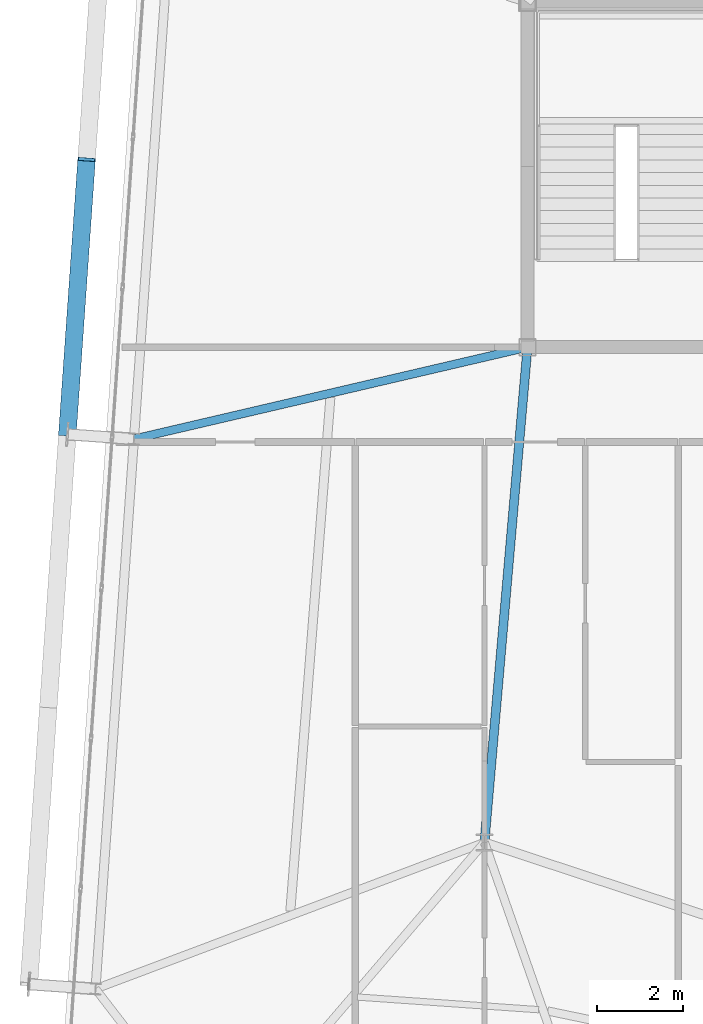
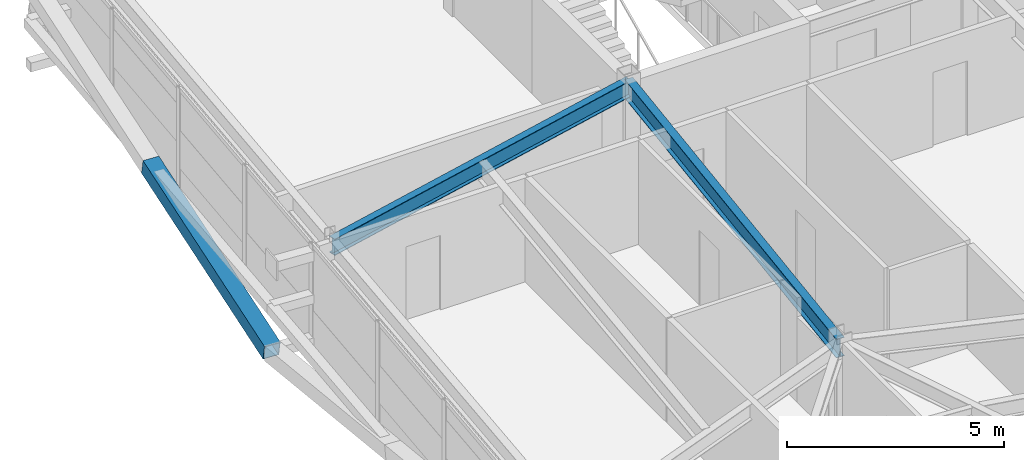
# One storey, part 15 of 47: 2 beams, 1 member.
"""IFC4 building model written with IfcOpenShell, lengths in metres."""

from ifc_helpers import new_model, si_unit, direction, frame, origin, origin_2d, place, context, subcontext, project, spatial, hollow_rectangle, i_section, extrude, source, transform, mapped, material, material_profile, profile_set, type_object, element, save


model = new_model("IFC4")

# Units and contexts
model_context = context("Model", 3, precision=1e-05, world=origin(), true_north=direction((0.0, 1.0)))
body_context = subcontext(model_context, "Body", "Model", "MODEL_VIEW")
ifc_project = project(units=[si_unit("LENGTHUNIT", "METRE"), si_unit("AREAUNIT", "SQUARE_METRE"), si_unit("VOLUMEUNIT", "CUBIC_METRE"), si_unit("PLANEANGLEUNIT", "RADIAN"), si_unit("MASSUNIT", "GRAM", prefix="KILO")], contexts=[model_context])

# Site, building, storey
site_placement = place(None, origin())
site = spatial("IfcSite", under=ifc_project, at=site_placement, CompositionType="ELEMENT")
building_placement = place(site_placement, origin())
building = spatial("IfcBuilding", under=site, at=building_placement, Name="Taldren Reach Tower", CompositionType="ELEMENT")
storey_placement = place(building_placement, frame((0.0, 0.0, 142.449951171875)))
storey = spatial("IfcBuildingStorey", under=building, at=storey_placement, Name="L43", CompositionType="ELEMENT", Elevation=142.449951171875)

# Beams
ifc_material_1 = material(Name="Steel Gr 350 (350PLUS)", Category="steel")
ifc_material_profile_1 = material_profile(ifc_material_1, i_section(OverallWidth=0.208984375, OverallDepth=0.532958984375, WebThickness=0.01025390625, FlangeThickness=0.015625, at=origin_2d()), Name="530UB92.4")
ifc_profile_set_1 = profile_set([ifc_material_profile_1], Name="Steel Gr 350 (350PLUS)")
beam_type_1 = type_object("IfcBeamType", Name="BM-UB530A", PredefinedType="BEAM", material=ifc_profile_set_1)
shared_shape_1 = source(origin(), body_context, "Body", "SweptSolid", [
    extrude(i_section(OverallWidth=0.208984375, OverallDepth=0.532958984375, WebThickness=0.01025390625, FlangeThickness=0.015625, at=origin_2d()), origin(), (0.0, 0.0, 1.0), 11.54345703125),
])
beam_1_placement = place(storey_placement, frame((19.0, 24.0, 2.66357421875), z_axis=(-0.086629616365, -0.996240588196, 0.0), x_axis=(0.996240588196, -0.086629616365, 0.0)))
element("IfcBeam", 1, at=beam_1_placement, inside=storey, type_object=beam_type_1, Name="Core-spine girder L43-SP09", PredefinedType="BEAM", context=body_context, shape_type="MappedRepresentation", body=[
    mapped(shared_shape_1, transform((0.0, 0.0, 0.0), scale=1.0)),
])
ifc_material_profile_2 = material_profile(ifc_material_1, i_section(OverallWidth=0.19091796875, OverallDepth=0.4599609375, WebThickness=0.010009765625, FlangeThickness=0.01611328125, at=origin_2d()), Name="460UB82.1")
ifc_profile_set_2 = profile_set([ifc_material_profile_2], Name="Steel Gr 350 (350PLUS)")
beam_type_2 = type_object("IfcBeamType", Name="BM-UB460A", PredefinedType="BEAM", material=ifc_profile_set_2)
shared_shape_2 = source(origin(), body_context, "Body", "SweptSolid", [
    extrude(i_section(OverallWidth=0.19091796875, OverallDepth=0.4599609375, WebThickness=0.010009765625, FlangeThickness=0.01611328125, at=origin_2d()), origin(), (0.0, 0.0, 1.0), 9.383544921875),
])
beam_2_placement = place(storey_placement, frame((19.0, 24.0, 2.699951171875), z_axis=(-0.973856560651, -0.227163815951, 0.0), x_axis=(0.227163815951, -0.973856560651, 0.0)))
element("IfcBeam", 2, at=beam_2_placement, inside=storey, type_object=beam_type_2, Name="Primary floor girder B3-W2 L43", PredefinedType="BEAM", context=body_context, shape_type="MappedRepresentation", body=[
    mapped(shared_shape_2, transform((0.0, 0.0, 0.0), scale=1.0)),
])

# Member
ifc_material_2 = material(Name="Steel Gr 450 (C450L0)", Category="steel")
ifc_material_profile_3 = material_profile(ifc_material_2, hollow_rectangle(XDim=0.409912109375, YDim=0.409912109375, WallThickness=0.01611328125, at=origin_2d()), Name="410x410x16.0SHS")
ifc_profile_set_3 = profile_set([ifc_material_profile_3], Name="Steel Gr 450 (C450L0)")
member_type = type_object("IfcMemberType", Name="MB-EXO406", PredefinedType="BRACE", material=ifc_profile_set_3)
shared_shape_3 = source(origin(), body_context, "Body", "SweptSolid", [
    extrude(hollow_rectangle(XDim=0.409912109375, YDim=0.409912109375, WallThickness=0.01611328125, at=origin_2d()), origin(), (0.0, 0.0, 1.0), 6.51416015625),
])
member_placement = place(storey_placement, frame((8.3154296875, 21.9765625, 0.219970703125), z_axis=(0.068547644544, 0.980055169399, 0.186529046964), x_axis=(-0.997562951496, 0.069772185021, 0.0)))
element("IfcMember", 3, at=member_placement, inside=storey, type_object=member_type, Name="Exoskeleton Diagrid Brace B3-W2 L43", PredefinedType="BRACE", context=body_context, shape_type="MappedRepresentation", body=[
    mapped(shared_shape_3, transform((0.0, 0.0, 0.0), scale=1.0)),
])

save(model, "model.ifc")
